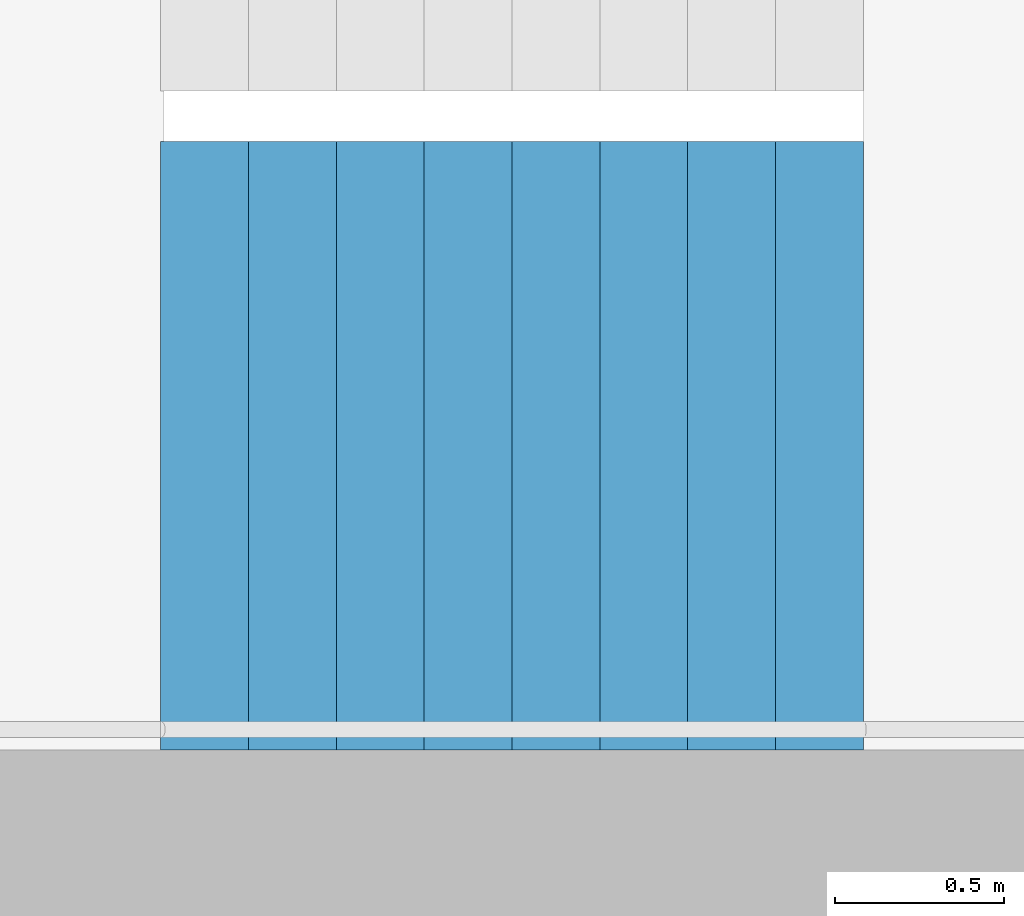
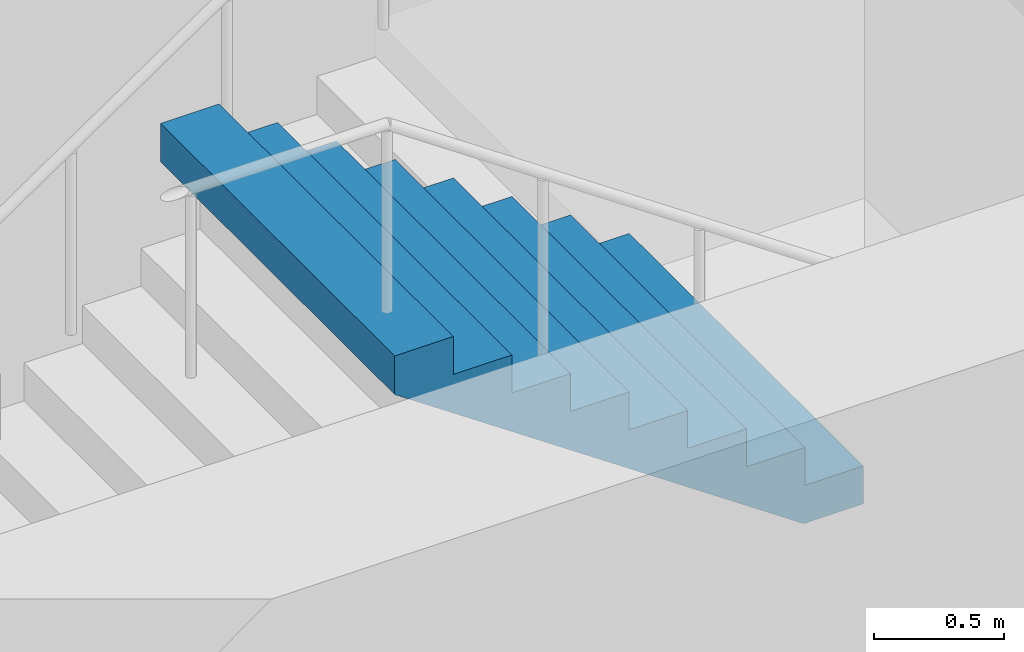
# One storey, part 24 of 28: 1 stair flight, 1 element without a shape of its own.
"""IFC4 building model written with IfcOpenShell, lengths in metres."""

from ifc_helpers import new_model, si_unit, direction, frame, origin, place, context, subcontext, project, spatial, triangles, material, type_object, element, aggregate, save


model = new_model("IFC4")

# Units and contexts
model_context = context("Model", 3, precision=1e-05, world=origin(), true_north=direction((0.0, 1.0)))
body_context = subcontext(model_context, "Body", "Model", "MODEL_VIEW")
ifc_project = project(units=[si_unit("LENGTHUNIT", "METRE"), si_unit("AREAUNIT", "SQUARE_METRE"), si_unit("VOLUMEUNIT", "CUBIC_METRE"), si_unit("PLANEANGLEUNIT", "RADIAN"), si_unit("MASSUNIT", "GRAM", prefix="KILO")], contexts=[model_context])

# Site, building, storey
site_placement = place(None, origin())
site = spatial("IfcSite", under=ifc_project, at=site_placement, CompositionType="ELEMENT")
building_placement = place(site_placement, origin())
building = spatial("IfcBuilding", under=site, at=building_placement, Name="Hakoniwa Tower and Hamabe Station Hall", CompositionType="ELEMENT")
storey_placement = place(building_placement, frame((0.0, 0.0, 48.60009765625)))
storey = spatial("IfcBuildingStorey", under=building, at=storey_placement, Name="L13", CompositionType="ELEMENT", Elevation=48.60009765625)

# Stair, stair flight
ifc_material_1 = material(Name="Concrete C40", Category="concrete")
stair_type = type_object("IfcStairType", Name="ESCAPE STAIR 1800", PredefinedType="HALF_TURN_STAIR", material=ifc_material_1)
stair_placement = place(storey_placement, origin())
stair = element("IfcStair", 1, at=stair_placement, inside=storey, type_object=stair_type, Name="Escape stair ST-4 L13", PredefinedType="HALF_TURN_STAIR")
ifc_material_2 = material(Name="Concrete C40", Category="concrete")
stair_flight_type = type_object("IfcStairFlightType", Name="STAIR FLIGHT 1800", PredefinedType="STRAIGHT", material=ifc_material_2)
stair_flight_placement = place(storey_placement, frame((25.47998046875, -6.60009765625, 1.599853515625), z_axis=(0.0, 0.0, 1.0), x_axis=(-1.0, 0.0, 0.0)))
stair_flight = element("IfcStairFlight", 2, at=stair_flight_placement, type_object=stair_flight_type, Name="ST-4 flight 2", NumberOfRisers=9, NumberOfTreads=8, PredefinedType="STRAIGHT", RiserHeight=0.177777778, TreadLength=0.26, context=body_context, shape_type="Tessellation", body=[
    triangles([(0.0, 0.89990234375, 0.0), (0.260009765625, 0.89990234375, 0.0), (0.265625, 0.89990234375, 0.0), (0.52001953125, 0.89990234375, 0.174072265625), (0.780029296875, 0.89990234375, 0.351806640625), (1.0400390625, 0.89990234375, 0.529541015625), (1.300048828125, 0.89990234375, 0.707275390625), (1.56005859375, 0.89990234375, 0.885009765625), (1.820068359375, 0.89990234375, 1.062744140625), (2.080078125, 0.89990234375, 1.24072265625), (2.080078125, 0.89990234375, 1.422119140625), (1.820068359375, 0.89990234375, 1.422119140625), (1.820068359375, 0.89990234375, 1.244384765625), (1.56005859375, 0.89990234375, 1.244384765625), (1.56005859375, 0.89990234375, 1.066650390625), (1.300048828125, 0.89990234375, 1.066650390625), (1.300048828125, 0.89990234375, 0.888916015625), (1.0400390625, 0.89990234375, 0.888916015625), (1.0400390625, 0.89990234375, 0.711181640625), (0.780029296875, 0.89990234375, 0.711181640625), (0.780029296875, 0.89990234375, 0.533447265625), (0.52001953125, 0.89990234375, 0.533447265625), (0.52001953125, 0.89990234375, 0.35546875), (0.265625, 0.89990234375, 0.35546875), (0.260009765625, 0.89990234375, 0.35546875), (0.260009765625, 0.89990234375, 0.177734375), (0.0, 0.89990234375, 0.177734375), (0.0, 0.06005859375, 0.0), (0.260009765625, 0.06005859375, 0.0), (0.265625, 0.06005859375, 0.0), (0.52001953125, 0.06005859375, 0.174072265625), (0.780029296875, 0.06005859375, 0.351806640625), (1.0400390625, 0.06005859375, 0.529541015625), (1.300048828125, 0.06005859375, 0.707275390625), (1.56005859375, 0.06005859375, 0.885009765625), (1.820068359375, 0.06005859375, 1.062744140625), (2.080078125, 0.06005859375, 1.24072265625), (2.080078125, 0.06005859375, 1.422119140625), (1.820068359375, 0.06005859375, 1.422119140625), (1.820068359375, 0.06005859375, 1.244384765625), (1.56005859375, 0.06005859375, 1.244384765625), (1.56005859375, 0.06005859375, 1.066650390625), (1.300048828125, 0.06005859375, 1.066650390625), (1.300048828125, 0.06005859375, 0.888916015625), (1.0400390625, 0.06005859375, 0.888916015625), (1.0400390625, 0.06005859375, 0.711181640625), (0.780029296875, 0.06005859375, 0.711181640625), (0.780029296875, 0.06005859375, 0.533447265625), (0.52001953125, 0.06005859375, 0.533447265625), (0.52001953125, 0.06005859375, 0.35546875), (0.265625, 0.06005859375, 0.35546875), (0.260009765625, 0.06005859375, 0.35546875), (0.260009765625, 0.06005859375, 0.177734375), (0.0, 0.06005859375, 0.177734375), (0.0, 0.04296875, 0.0), (0.260009765625, 0.04296875, 0.0), (0.265625, 0.04296875, 0.0), (0.52001953125, 0.04296875, 0.174072265625), (0.780029296875, 0.04296875, 0.351806640625), (1.0400390625, 0.04296875, 0.529541015625), (1.300048828125, 0.04296875, 0.707275390625), (1.56005859375, 0.04296875, 0.885009765625), (1.820068359375, 0.04296875, 1.062744140625), (2.080078125, 0.04296875, 1.24072265625), (2.080078125, 0.04296875, 1.422119140625), (1.820068359375, 0.04296875, 1.422119140625), (1.820068359375, 0.04296875, 1.244384765625), (1.56005859375, 0.04296875, 1.244384765625), (1.56005859375, 0.04296875, 1.066650390625), (1.300048828125, 0.04296875, 1.066650390625), (1.300048828125, 0.04296875, 0.888916015625), (1.0400390625, 0.04296875, 0.888916015625), (1.0400390625, 0.04296875, 0.711181640625), (0.780029296875, 0.04296875, 0.711181640625), (0.780029296875, 0.04296875, 0.533447265625), (0.52001953125, 0.04296875, 0.533447265625), (0.52001953125, 0.04296875, 0.35546875), (0.265625, 0.04296875, 0.35546875), (0.260009765625, 0.04296875, 0.35546875), (0.260009765625, 0.04296875, 0.177734375), (0.0, 0.04296875, 0.177734375), (0.0, 0.025634765625, 0.0), (0.260009765625, 0.025634765625, 0.0), (0.265625, 0.025634765625, 0.0), (0.52001953125, 0.025634765625, 0.174072265625), (0.780029296875, 0.025634765625, 0.351806640625), (1.0400390625, 0.025634765625, 0.529541015625), (1.300048828125, 0.025634765625, 0.707275390625), (1.56005859375, 0.025634765625, 0.885009765625), (1.820068359375, 0.025634765625, 1.062744140625), (2.080078125, 0.025634765625, 1.24072265625), (2.080078125, 0.025634765625, 1.422119140625), (1.820068359375, 0.025634765625, 1.422119140625), (1.820068359375, 0.025634765625, 1.244384765625), (1.56005859375, 0.025634765625, 1.244384765625), (1.56005859375, 0.025634765625, 1.066650390625), (1.300048828125, 0.025634765625, 1.066650390625), (1.300048828125, 0.025634765625, 0.888916015625), (1.0400390625, 0.025634765625, 0.888916015625), (1.0400390625, 0.025634765625, 0.711181640625), (0.780029296875, 0.025634765625, 0.711181640625), (0.780029296875, 0.025634765625, 0.533447265625), (0.52001953125, 0.025634765625, 0.533447265625), (0.52001953125, 0.025634765625, 0.35546875), (0.265625, 0.025634765625, 0.35546875), (0.260009765625, 0.025634765625, 0.35546875), (0.260009765625, 0.025634765625, 0.177734375), (0.0, 0.025634765625, 0.177734375), (0.0, 0.008544921875, 0.0), (0.260009765625, 0.008544921875, 0.0), (0.265625, 0.008544921875, 0.0), (0.52001953125, 0.008544921875, 0.174072265625), (0.780029296875, 0.008544921875, 0.351806640625), (1.0400390625, 0.008544921875, 0.529541015625), (1.300048828125, 0.008544921875, 0.707275390625), (1.56005859375, 0.008544921875, 0.885009765625), (1.820068359375, 0.008544921875, 1.062744140625), (2.080078125, 0.008544921875, 1.24072265625), (2.080078125, 0.008544921875, 1.422119140625), (1.820068359375, 0.008544921875, 1.422119140625), (1.820068359375, 0.008544921875, 1.244384765625), (1.56005859375, 0.008544921875, 1.244384765625), (1.56005859375, 0.008544921875, 1.066650390625), (1.300048828125, 0.008544921875, 1.066650390625), (1.300048828125, 0.008544921875, 0.888916015625), (1.0400390625, 0.008544921875, 0.888916015625), (1.0400390625, 0.008544921875, 0.711181640625), (0.780029296875, 0.008544921875, 0.711181640625), (0.780029296875, 0.008544921875, 0.533447265625), (0.52001953125, 0.008544921875, 0.533447265625), (0.52001953125, 0.008544921875, 0.35546875), (0.265625, 0.008544921875, 0.35546875), (0.260009765625, 0.008544921875, 0.35546875), (0.260009765625, 0.008544921875, 0.177734375), (0.0, 0.008544921875, 0.177734375), (0.0, -0.008544921875, 0.0), (0.260009765625, -0.008544921875, 0.0), (0.265625, -0.008544921875, 0.0), (0.52001953125, -0.008544921875, 0.174072265625), (0.780029296875, -0.008544921875, 0.351806640625), (1.0400390625, -0.008544921875, 0.529541015625), (1.300048828125, -0.008544921875, 0.707275390625), (1.56005859375, -0.008544921875, 0.885009765625), (1.820068359375, -0.008544921875, 1.062744140625), (2.080078125, -0.008544921875, 1.24072265625), (2.080078125, -0.008544921875, 1.422119140625), (1.820068359375, -0.008544921875, 1.422119140625), (1.820068359375, -0.008544921875, 1.244384765625), (1.56005859375, -0.008544921875, 1.244384765625), (1.56005859375, -0.008544921875, 1.066650390625), (1.300048828125, -0.008544921875, 1.066650390625), (1.300048828125, -0.008544921875, 0.888916015625), (1.0400390625, -0.008544921875, 0.888916015625), (1.0400390625, -0.008544921875, 0.711181640625), (0.780029296875, -0.008544921875, 0.711181640625), (0.780029296875, -0.008544921875, 0.533447265625), (0.52001953125, -0.008544921875, 0.533447265625), (0.52001953125, -0.008544921875, 0.35546875), (0.265625, -0.008544921875, 0.35546875), (0.260009765625, -0.008544921875, 0.35546875), (0.260009765625, -0.008544921875, 0.177734375), (0.0, -0.008544921875, 0.177734375), (0.0, -0.025634765625, 0.0), (0.260009765625, -0.025634765625, 0.0), (0.265625, -0.025634765625, 0.0), (0.52001953125, -0.025634765625, 0.174072265625), (0.780029296875, -0.025634765625, 0.351806640625), (1.0400390625, -0.025634765625, 0.529541015625), (1.300048828125, -0.025634765625, 0.707275390625), (1.56005859375, -0.025634765625, 0.885009765625), (1.820068359375, -0.025634765625, 1.062744140625), (2.080078125, -0.025634765625, 1.24072265625), (2.080078125, -0.025634765625, 1.422119140625), (1.820068359375, -0.025634765625, 1.422119140625), (1.820068359375, -0.025634765625, 1.244384765625), (1.56005859375, -0.025634765625, 1.244384765625), (1.56005859375, -0.025634765625, 1.066650390625), (1.300048828125, -0.025634765625, 1.066650390625), (1.300048828125, -0.025634765625, 0.888916015625), (1.0400390625, -0.025634765625, 0.888916015625), (1.0400390625, -0.025634765625, 0.711181640625), (0.780029296875, -0.025634765625, 0.711181640625), (0.780029296875, -0.025634765625, 0.533447265625), (0.52001953125, -0.025634765625, 0.533447265625), (0.52001953125, -0.025634765625, 0.35546875), (0.265625, -0.025634765625, 0.35546875), (0.260009765625, -0.025634765625, 0.35546875), (0.260009765625, -0.025634765625, 0.177734375), (0.0, -0.025634765625, 0.177734375), (0.0, -0.04296875, 0.0), (0.260009765625, -0.04296875, 0.0), (0.265625, -0.04296875, 0.0), (0.52001953125, -0.04296875, 0.174072265625), (0.780029296875, -0.04296875, 0.351806640625), (1.0400390625, -0.04296875, 0.529541015625), (1.300048828125, -0.04296875, 0.707275390625), (1.56005859375, -0.04296875, 0.885009765625), (1.820068359375, -0.04296875, 1.062744140625), (2.080078125, -0.04296875, 1.24072265625), (2.080078125, -0.04296875, 1.422119140625), (1.820068359375, -0.04296875, 1.422119140625), (1.820068359375, -0.04296875, 1.244384765625), (1.56005859375, -0.04296875, 1.244384765625), (1.56005859375, -0.04296875, 1.066650390625), (1.300048828125, -0.04296875, 1.066650390625), (1.300048828125, -0.04296875, 0.888916015625), (1.0400390625, -0.04296875, 0.888916015625), (1.0400390625, -0.04296875, 0.711181640625), (0.780029296875, -0.04296875, 0.711181640625), (0.780029296875, -0.04296875, 0.533447265625), (0.52001953125, -0.04296875, 0.533447265625), (0.52001953125, -0.04296875, 0.35546875), (0.265625, -0.04296875, 0.35546875), (0.260009765625, -0.04296875, 0.35546875), (0.260009765625, -0.04296875, 0.177734375), (0.0, -0.04296875, 0.177734375), (0.0, -0.06005859375, 0.0), (0.260009765625, -0.06005859375, 0.0), (0.265625, -0.06005859375, 0.0), (0.52001953125, -0.06005859375, 0.174072265625), (0.780029296875, -0.06005859375, 0.351806640625), (1.0400390625, -0.06005859375, 0.529541015625), (1.300048828125, -0.06005859375, 0.707275390625), (1.56005859375, -0.06005859375, 0.885009765625), (1.820068359375, -0.06005859375, 1.062744140625), (2.080078125, -0.06005859375, 1.24072265625), (2.080078125, -0.06005859375, 1.422119140625), (1.820068359375, -0.06005859375, 1.422119140625), (1.820068359375, -0.06005859375, 1.244384765625), (1.56005859375, -0.06005859375, 1.244384765625), (1.56005859375, -0.06005859375, 1.066650390625), (1.300048828125, -0.06005859375, 1.066650390625), (1.300048828125, -0.06005859375, 0.888916015625), (1.0400390625, -0.06005859375, 0.888916015625), (1.0400390625, -0.06005859375, 0.711181640625), (0.780029296875, -0.06005859375, 0.711181640625), (0.780029296875, -0.06005859375, 0.533447265625), (0.52001953125, -0.06005859375, 0.533447265625), (0.52001953125, -0.06005859375, 0.35546875), (0.265625, -0.06005859375, 0.35546875), (0.260009765625, -0.06005859375, 0.35546875), (0.260009765625, -0.06005859375, 0.177734375), (0.0, -0.06005859375, 0.177734375), (0.0, -0.89990234375, 0.0), (0.260009765625, -0.89990234375, 0.0), (0.265625, -0.89990234375, 0.0), (0.52001953125, -0.89990234375, 0.174072265625), (0.780029296875, -0.89990234375, 0.351806640625), (1.0400390625, -0.89990234375, 0.529541015625), (1.300048828125, -0.89990234375, 0.707275390625), (1.56005859375, -0.89990234375, 0.885009765625), (1.820068359375, -0.89990234375, 1.062744140625), (2.080078125, -0.89990234375, 1.24072265625), (2.080078125, -0.89990234375, 1.422119140625), (1.820068359375, -0.89990234375, 1.422119140625), (1.820068359375, -0.89990234375, 1.244384765625), (1.56005859375, -0.89990234375, 1.244384765625), (1.56005859375, -0.89990234375, 1.066650390625), (1.300048828125, -0.89990234375, 1.066650390625), (1.300048828125, -0.89990234375, 0.888916015625), (1.0400390625, -0.89990234375, 0.888916015625), (1.0400390625, -0.89990234375, 0.711181640625), (0.780029296875, -0.89990234375, 0.711181640625), (0.780029296875, -0.89990234375, 0.533447265625), (0.52001953125, -0.89990234375, 0.533447265625), (0.52001953125, -0.89990234375, 0.35546875), (0.265625, -0.89990234375, 0.35546875), (0.260009765625, -0.89990234375, 0.35546875), (0.260009765625, -0.89990234375, 0.177734375), (0.0, -0.89990234375, 0.177734375)], [[2, 27, 26], [245, 269, 270], [2, 1, 27], [245, 270, 244], [3, 25, 24], [246, 267, 268], [3, 26, 25], [246, 268, 269], [3, 2, 26], [246, 269, 245], [4, 24, 23], [247, 266, 267], [4, 3, 24], [247, 267, 246], [5, 22, 21], [248, 264, 265], [5, 23, 22], [248, 265, 266], [5, 4, 23], [248, 266, 247], [6, 20, 19], [249, 262, 263], [6, 21, 20], [249, 263, 264], [6, 5, 21], [249, 264, 248], [7, 18, 17], [250, 260, 261], [7, 19, 18], [250, 261, 262], [7, 6, 19], [250, 262, 249], [8, 16, 15], [251, 258, 259], [8, 17, 16], [251, 259, 260], [8, 7, 17], [251, 260, 250], [9, 14, 13], [252, 256, 257], [9, 15, 14], [252, 257, 258], [9, 8, 15], [252, 258, 251], [10, 12, 11], [253, 254, 255], [10, 13, 12], [253, 255, 256], [10, 9, 13], [253, 256, 252], [1, 2, 29], [1, 29, 28], [28, 29, 56], [28, 56, 55], [55, 56, 83], [55, 83, 82], [82, 83, 110], [82, 110, 109], [109, 110, 137], [109, 137, 136], [136, 137, 164], [136, 164, 163], [163, 164, 191], [163, 191, 190], [190, 191, 218], [190, 218, 217], [217, 218, 245], [217, 245, 244], [2, 3, 30], [2, 30, 29], [29, 30, 57], [29, 57, 56], [56, 57, 84], [56, 84, 83], [83, 84, 111], [83, 111, 110], [110, 111, 138], [110, 138, 137], [137, 138, 165], [137, 165, 164], [164, 165, 192], [164, 192, 191], [191, 192, 219], [191, 219, 218], [218, 219, 246], [218, 246, 245], [3, 4, 31], [3, 31, 30], [30, 31, 58], [30, 58, 57], [57, 58, 85], [57, 85, 84], [84, 85, 112], [84, 112, 111], [111, 112, 139], [111, 139, 138], [138, 139, 166], [138, 166, 165], [165, 166, 193], [165, 193, 192], [192, 193, 220], [192, 220, 219], [219, 220, 247], [219, 247, 246], [4, 5, 32], [4, 32, 31], [31, 32, 59], [31, 59, 58], [58, 59, 86], [58, 86, 85], [85, 86, 113], [85, 113, 112], [112, 113, 140], [112, 140, 139], [139, 140, 167], [139, 167, 166], [166, 167, 194], [166, 194, 193], [193, 194, 221], [193, 221, 220], [220, 221, 248], [220, 248, 247], [5, 6, 33], [5, 33, 32], [32, 33, 60], [32, 60, 59], [59, 60, 87], [59, 87, 86], [86, 87, 114], [86, 114, 113], [113, 114, 141], [113, 141, 140], [140, 141, 168], [140, 168, 167], [167, 168, 195], [167, 195, 194], [194, 195, 222], [194, 222, 221], [221, 222, 249], [221, 249, 248], [6, 7, 34], [6, 34, 33], [33, 34, 61], [33, 61, 60], [60, 61, 88], [60, 88, 87], [87, 88, 115], [87, 115, 114], [114, 115, 142], [114, 142, 141], [141, 142, 169], [141, 169, 168], [168, 169, 196], [168, 196, 195], [195, 196, 223], [195, 223, 222], [222, 223, 250], [222, 250, 249], [7, 8, 35], [7, 35, 34], [34, 35, 62], [34, 62, 61], [61, 62, 89], [61, 89, 88], [88, 89, 116], [88, 116, 115], [115, 116, 143], [115, 143, 142], [142, 143, 170], [142, 170, 169], [169, 170, 197], [169, 197, 196], [196, 197, 224], [196, 224, 223], [223, 224, 251], [223, 251, 250], [8, 9, 36], [8, 36, 35], [35, 36, 63], [35, 63, 62], [62, 63, 90], [62, 90, 89], [89, 90, 117], [89, 117, 116], [116, 117, 144], [116, 144, 143], [143, 144, 171], [143, 171, 170], [170, 171, 198], [170, 198, 197], [197, 198, 225], [197, 225, 224], [224, 225, 252], [224, 252, 251], [9, 10, 37], [9, 37, 36], [36, 37, 64], [36, 64, 63], [63, 64, 91], [63, 91, 90], [90, 91, 118], [90, 118, 117], [117, 118, 145], [117, 145, 144], [144, 145, 172], [144, 172, 171], [171, 172, 199], [171, 199, 198], [198, 199, 226], [198, 226, 225], [225, 226, 253], [225, 253, 252], [10, 11, 38], [10, 38, 37], [37, 38, 65], [37, 65, 64], [64, 65, 92], [64, 92, 91], [91, 92, 119], [91, 119, 118], [118, 119, 146], [118, 146, 145], [145, 146, 173], [145, 173, 172], [172, 173, 200], [172, 200, 199], [199, 200, 227], [199, 227, 226], [226, 227, 254], [226, 254, 253], [11, 12, 39], [11, 39, 38], [38, 39, 66], [38, 66, 65], [65, 66, 93], [65, 93, 92], [92, 93, 120], [92, 120, 119], [119, 120, 147], [119, 147, 146], [146, 147, 174], [146, 174, 173], [173, 174, 201], [173, 201, 200], [200, 201, 228], [200, 228, 227], [227, 228, 255], [227, 255, 254], [12, 13, 40], [12, 40, 39], [39, 40, 67], [39, 67, 66], [66, 67, 94], [66, 94, 93], [93, 94, 121], [93, 121, 120], [120, 121, 148], [120, 148, 147], [147, 148, 175], [147, 175, 174], [174, 175, 202], [174, 202, 201], [201, 202, 229], [201, 229, 228], [228, 229, 256], [228, 256, 255], [13, 14, 41], [13, 41, 40], [40, 41, 68], [40, 68, 67], [67, 68, 95], [67, 95, 94], [94, 95, 122], [94, 122, 121], [121, 122, 149], [121, 149, 148], [148, 149, 176], [148, 176, 175], [175, 176, 203], [175, 203, 202], [202, 203, 230], [202, 230, 229], [229, 230, 257], [229, 257, 256], [14, 15, 42], [14, 42, 41], [41, 42, 69], [41, 69, 68], [68, 69, 96], [68, 96, 95], [95, 96, 123], [95, 123, 122], [122, 123, 150], [122, 150, 149], [149, 150, 177], [149, 177, 176], [176, 177, 204], [176, 204, 203], [203, 204, 231], [203, 231, 230], [230, 231, 258], [230, 258, 257], [15, 16, 43], [15, 43, 42], [42, 43, 70], [42, 70, 69], [69, 70, 97], [69, 97, 96], [96, 97, 124], [96, 124, 123], [123, 124, 151], [123, 151, 150], [150, 151, 178], [150, 178, 177], [177, 178, 205], [177, 205, 204], [204, 205, 232], [204, 232, 231], [231, 232, 259], [231, 259, 258], [16, 17, 44], [16, 44, 43], [43, 44, 71], [43, 71, 70], [70, 71, 98], [70, 98, 97], [97, 98, 125], [97, 125, 124], [124, 125, 152], [124, 152, 151], [151, 152, 179], [151, 179, 178], [178, 179, 206], [178, 206, 205], [205, 206, 233], [205, 233, 232], [232, 233, 260], [232, 260, 259], [17, 18, 45], [17, 45, 44], [44, 45, 72], [44, 72, 71], [71, 72, 99], [71, 99, 98], [98, 99, 126], [98, 126, 125], [125, 126, 153], [125, 153, 152], [152, 153, 180], [152, 180, 179], [179, 180, 207], [179, 207, 206], [206, 207, 234], [206, 234, 233], [233, 234, 261], [233, 261, 260], [18, 19, 46], [18, 46, 45], [45, 46, 73], [45, 73, 72], [72, 73, 100], [72, 100, 99], [99, 100, 127], [99, 127, 126], [126, 127, 154], [126, 154, 153], [153, 154, 181], [153, 181, 180], [180, 181, 208], [180, 208, 207], [207, 208, 235], [207, 235, 234], [234, 235, 262], [234, 262, 261], [19, 20, 47], [19, 47, 46], [46, 47, 74], [46, 74, 73], [73, 74, 101], [73, 101, 100], [100, 101, 128], [100, 128, 127], [127, 128, 155], [127, 155, 154], [154, 155, 182], [154, 182, 181], [181, 182, 209], [181, 209, 208], [208, 209, 236], [208, 236, 235], [235, 236, 263], [235, 263, 262], [20, 21, 48], [20, 48, 47], [47, 48, 75], [47, 75, 74], [74, 75, 102], [74, 102, 101], [101, 102, 129], [101, 129, 128], [128, 129, 156], [128, 156, 155], [155, 156, 183], [155, 183, 182], [182, 183, 210], [182, 210, 209], [209, 210, 237], [209, 237, 236], [236, 237, 264], [236, 264, 263], [21, 22, 49], [21, 49, 48], [48, 49, 76], [48, 76, 75], [75, 76, 103], [75, 103, 102], [102, 103, 130], [102, 130, 129], [129, 130, 157], [129, 157, 156], [156, 157, 184], [156, 184, 183], [183, 184, 211], [183, 211, 210], [210, 211, 238], [210, 238, 237], [237, 238, 265], [237, 265, 264], [22, 23, 50], [22, 50, 49], [49, 50, 77], [49, 77, 76], [76, 77, 104], [76, 104, 103], [103, 104, 131], [103, 131, 130], [130, 131, 158], [130, 158, 157], [157, 158, 185], [157, 185, 184], [184, 185, 212], [184, 212, 211], [211, 212, 239], [211, 239, 238], [238, 239, 266], [238, 266, 265], [23, 24, 51], [23, 51, 50], [50, 51, 78], [50, 78, 77], [77, 78, 105], [77, 105, 104], [104, 105, 132], [104, 132, 131], [131, 132, 159], [131, 159, 158], [158, 159, 186], [158, 186, 185], [185, 186, 213], [185, 213, 212], [212, 213, 240], [212, 240, 239], [239, 240, 267], [239, 267, 266], [24, 25, 52], [24, 52, 51], [51, 52, 79], [51, 79, 78], [78, 79, 106], [78, 106, 105], [105, 106, 133], [105, 133, 132], [132, 133, 160], [132, 160, 159], [159, 160, 187], [159, 187, 186], [186, 187, 214], [186, 214, 213], [213, 214, 241], [213, 241, 240], [240, 241, 268], [240, 268, 267], [25, 26, 53], [25, 53, 52], [52, 53, 80], [52, 80, 79], [79, 80, 107], [79, 107, 106], [106, 107, 134], [106, 134, 133], [133, 134, 161], [133, 161, 160], [160, 161, 188], [160, 188, 187], [187, 188, 215], [187, 215, 214], [214, 215, 242], [214, 242, 241], [241, 242, 269], [241, 269, 268], [26, 27, 54], [26, 54, 53], [53, 54, 81], [53, 81, 80], [80, 81, 108], [80, 108, 107], [107, 108, 135], [107, 135, 134], [134, 135, 162], [134, 162, 161], [161, 162, 189], [161, 189, 188], [188, 189, 216], [188, 216, 215], [215, 216, 243], [215, 243, 242], [242, 243, 270], [242, 270, 269], [27, 1, 28], [27, 28, 54], [54, 28, 55], [54, 55, 81], [81, 55, 82], [81, 82, 108], [108, 82, 109], [108, 109, 135], [135, 109, 136], [135, 136, 162], [162, 136, 163], [162, 163, 189], [189, 163, 190], [189, 190, 216], [216, 190, 217], [216, 217, 243], [243, 217, 244], [243, 244, 270]], closed=True),
])
aggregate(stair, [stair_flight])

save(model, "model.ifc")
